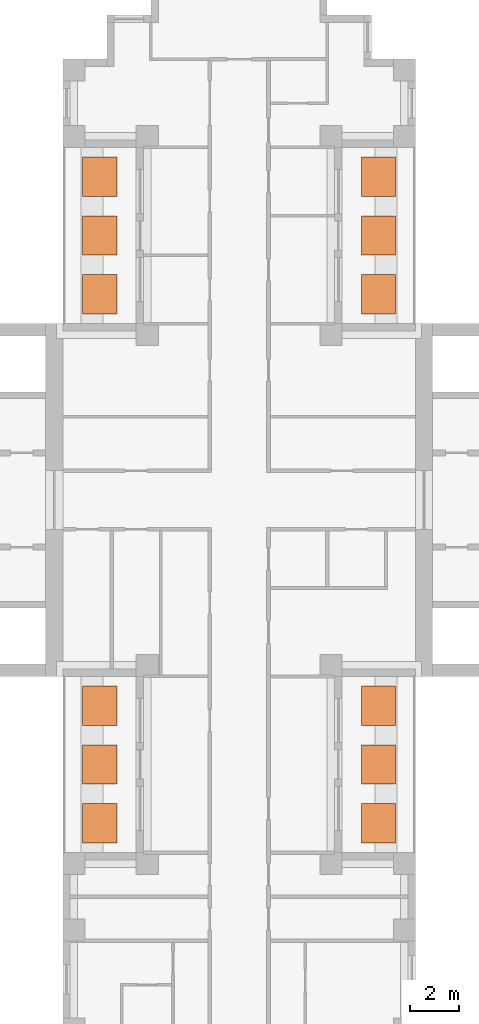
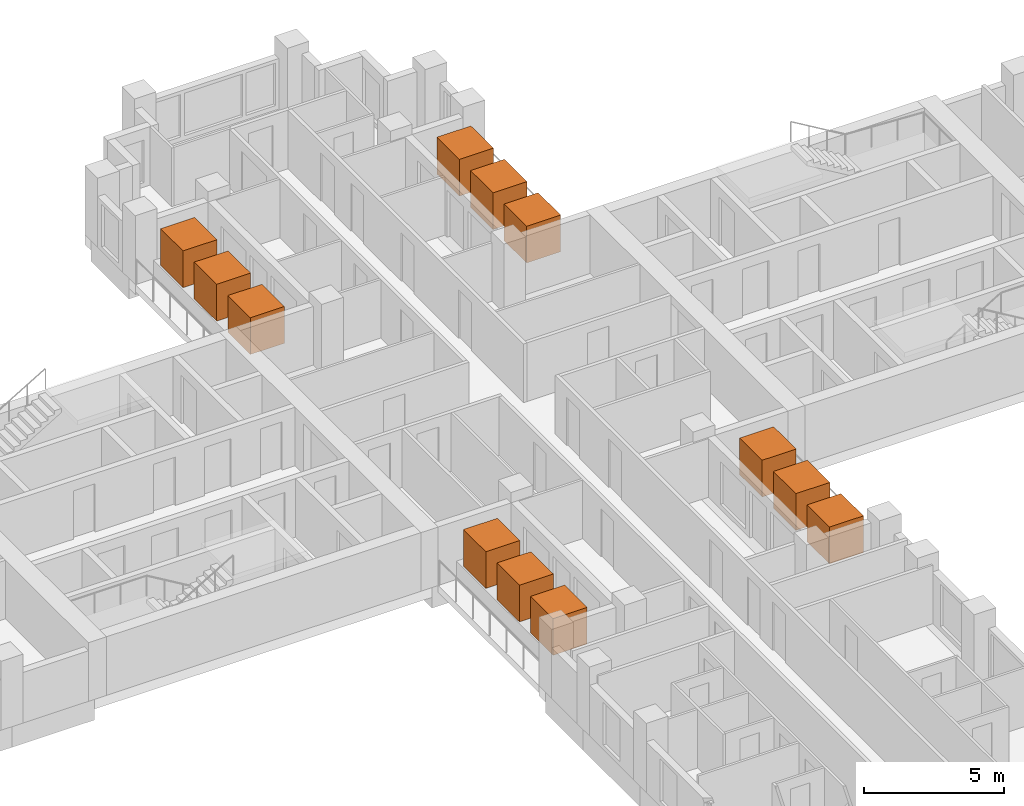
# One storey, part 13 of 13: 12 geographic elements.
"""IFC4 building model written with IfcOpenShell, lengths in metres."""

from ifc_helpers import new_model, si_unit, direction, frame, origin, origin_2d, place, context, subcontext, project, spatial, rectangle, extrude, material, element, save


model = new_model("IFC4")

# Units and contexts
model_context = context("Model", 3, precision=1e-05, world=origin(), true_north=direction((0.0, 1.0)))
body_context = subcontext(model_context, "Body", "Model", "MODEL_VIEW")
ifc_project = project(units=[si_unit("LENGTHUNIT", "METRE"), si_unit("AREAUNIT", "SQUARE_METRE"), si_unit("VOLUMEUNIT", "CUBIC_METRE"), si_unit("PLANEANGLEUNIT", "RADIAN"), si_unit("MASSUNIT", "GRAM", prefix="KILO")], contexts=[model_context])

# Site, building, storey
site_placement = place(None, origin())
site = spatial("IfcSite", under=ifc_project, at=site_placement, CompositionType="ELEMENT")
building_placement = place(site_placement, origin())
building = spatial("IfcBuilding", under=site, at=building_placement, Name="Fustian Cross Tower", CompositionType="ELEMENT")
storey_placement = place(building_placement, frame((0.0, 0.0, 108.89990234375)))
storey = spatial("IfcBuildingStorey", under=building, at=storey_placement, Name="L34", CompositionType="ELEMENT", Elevation=108.89990234375)

# Geographic elements
ifc_material = material(Name="Evergreen foliage")
for number, where, z_axis, x_axis, name in (
    (1, (5.68994140625, 8.39990234375, 0.800048828125), (0.0, 0.0, 1.0), (1.0, 0.0, 0.0), "TREE field maple"),
    (2, (5.68994140625, 10.800048828125, 0.800048828125), (0.0, 0.0, 1.0), (1.0, 0.0, 0.0), "TREE field maple"),
    (3, (5.68994140625, 13.199951171875, 0.800048828125), (0.0, 0.0, 1.0), (1.0, 0.0, 0.0), "TREE field maple"),
    (4, (-5.68994140625, 8.39990234375, 0.800048828125), (0.0, 0.0, 1.0), (1.0, 0.0, 0.0), "TREE field maple"),
    (5, (-5.68994140625, 10.800048828125, 0.800048828125), (0.0, 0.0, 1.0), (1.0, 0.0, 0.0), "TREE field maple"),
    (6, (-5.68994140625, 13.199951171875, 0.800048828125), (0.0, 0.0, 1.0), (1.0, 0.0, 0.0), "TREE field maple"),
    (7, (5.68994140625, -13.199951171875, 0.800048828125), (0.0, 0.0, 1.0), (1.0, 0.0, 0.0), "TREE field maple"),
    (8, (5.68994140625, -10.800048828125, 0.800048828125), (0.0, 0.0, 1.0), (1.0, 0.0, 0.0), "TREE field maple"),
    (9, (5.68994140625, -8.39990234375, 0.800048828125), (0.0, 0.0, 1.0), (1.0, 0.0, 0.0), "TREE field maple"),
    (10, (-5.68994140625, -13.199951171875, 0.800048828125), (0.0, 0.0, 1.0), (1.0, 0.0, 0.0), "TREE field maple"),
    (11, (-5.68994140625, -10.800048828125, 0.800048828125), (0.0, 0.0, 1.0), (1.0, 0.0, 0.0), "TREE field maple"),
    (12, (-5.68994140625, -8.39990234375, 0.800048828125), (0.0, 0.0, 1.0), (1.0, 0.0, 0.0), "TREE field maple"),
):
    element("IfcGeographicElement", number, at=place(storey_placement, frame(where, z_axis=z_axis, x_axis=x_axis)), inside=storey, material=ifc_material, Name=name, ObjectType="VEGETATION", PredefinedType="USERDEFINED", context=body_context, shape_type="SweptSolid", body=[
        extrude(rectangle(XDim=1.39990234375, YDim=1.60009765625, at=origin_2d()), origin(), (0.0, 0.0, 1.0), 1.60009765625),
    ])

save(model, "model.ifc")
